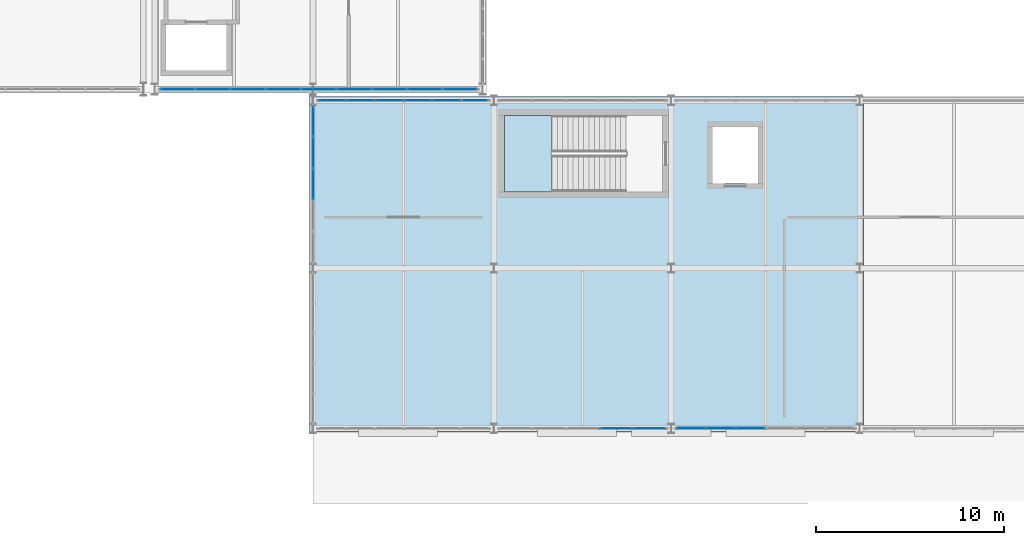
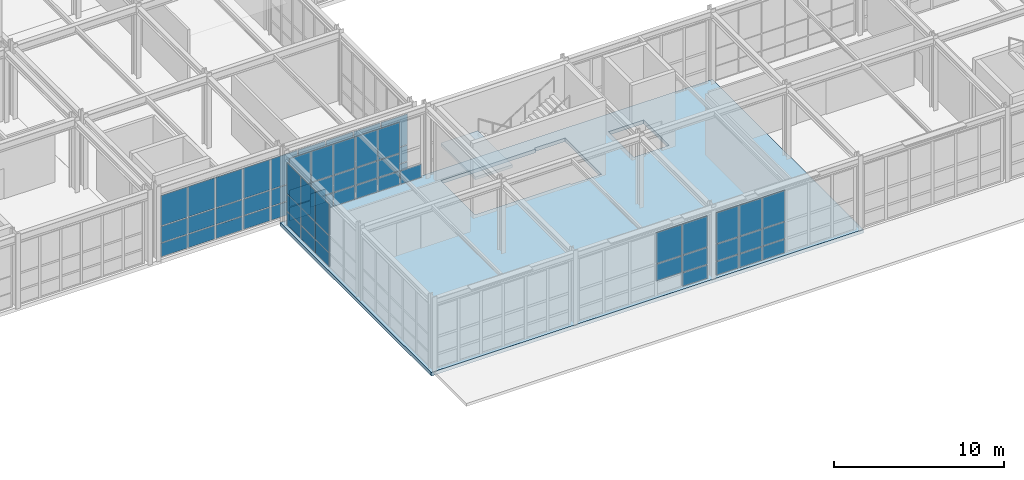
# One storey, part 142 of 210: 66 plates, 2 slabs, 6 elements without a shape of their own.
"""IFC4 building model written with IfcOpenShell, lengths in metres."""

import ifcopenshell
import ifcopenshell.guid

model = None  # the IFC model being written
_history = None  # IfcOwnerHistory: only IFC2X3 demands one
_inside = {}  # id of a spatial element -> (the spatial element, [elements in it])
_under = {}  # id of a project, library or spatial element -> (it, [spatial elements below it])
_declared = {}  # id of a project -> (the project, [libraries it declares])
_typed = {}  # id of a type object -> (the type object, [elements of that type])
_made_of = {}  # id of a material, layer set ... -> (it, [elements and type objects made of it])


def new_model(schema):
    """Start an empty IFC model of exactly this schema.

    Asked for "IFC4X3", IfcOpenShell would pick the latest addendum, in which some entities
    have other attributes; the version numbers below select the first issue.
    IFC2X3 requires an IfcOwnerHistory on every rooted entity: one is made here for all.
    """
    global model, _history
    if schema == "IFC4X3":
        model = ifcopenshell.file(schema_version=(4, 3, 0, 0))
    else:
        model = ifcopenshell.file(schema=schema)
    _inside.clear()
    _under.clear()
    _declared.clear()
    _typed.clear()
    _made_of.clear()
    _history = None
    if model.schema == "IFC2X3":
        org = make("IfcOrganization", Name="unknown")
        user = make(
            "IfcPersonAndOrganization",
            ThePerson=make("IfcPerson", FamilyName="unknown"),
            TheOrganization=org,
        )
        app = make(
            "IfcApplication",
            ApplicationDeveloper=org,
            Version="unknown",
            ApplicationFullName="unknown",
            ApplicationIdentifier="unknown",
        )
        _history = make(
            "IfcOwnerHistory",
            OwningUser=user,
            OwningApplication=app,
            ChangeAction="ADDED",
            CreationDate=0,
        )
    return model


def make(cls, **values):
    """One entity of the class cls with the attributes given. An attribute that is None is left unset."""
    return model.create_entity(
        cls, **{name: value for name, value in values.items() if value is not None}
    )


def rooted(cls, **values):
    """An entity with a GlobalId (a new one), such as an element, a storey or a relation."""
    return make(cls, GlobalId=ifcopenshell.guid.new(), OwnerHistory=_history, **values)


def si_unit(unit_type, name, prefix=None):
    """IfcSIUnit, for example si_unit("LENGTHUNIT", "METRE", prefix="MILLI")."""
    return make("IfcSIUnit", UnitType=unit_type, Prefix=prefix, Name=name)


def assignment(units):
    """IfcUnitAssignment: the units of a project."""
    return None if units is None else make("IfcUnitAssignment", Units=units)


def point(xyz):
    """IfcCartesianPoint."""
    return None if xyz is None else make("IfcCartesianPoint", Coordinates=xyz)


def direction(xyz):
    """IfcDirection."""
    return None if xyz is None else make("IfcDirection", DirectionRatios=xyz)


def frame(location, z_axis=None, x_axis=None):
    """IfcAxis2Placement3D, a coordinate frame: its origin and axes. An axis left out is left unset."""
    return make(
        "IfcAxis2Placement3D",
        Location=point(location),
        Axis=direction(z_axis),
        RefDirection=direction(x_axis),
    )


def frame_2d(location, x_axis=None):
    """IfcAxis2Placement2D, a coordinate frame in the plane: its origin and x axis."""
    return make(
        "IfcAxis2Placement2D", Location=point(location), RefDirection=direction(x_axis)
    )


def origin():
    """The frame at (0, 0, 0) with its axes left unset."""
    return frame((0.0, 0.0, 0.0))


def origin_2d():
    """The frame at (0, 0) in the plane with its x axis left unset."""
    return frame_2d((0.0, 0.0))


def place(relative_to, where):
    """IfcLocalPlacement: puts the frame where relative to a parent placement (None: the world)."""
    return make(
        "IfcLocalPlacement", PlacementRelTo=relative_to, RelativePlacement=where
    )


def context(
    kind, dimensions, precision=None, world=None, true_north=None, identifier=None
):
    """IfcGeometricRepresentationContext, for example the 3D "Model" context."""
    return make(
        "IfcGeometricRepresentationContext",
        ContextIdentifier=identifier,
        ContextType=kind,
        CoordinateSpaceDimension=dimensions,
        Precision=precision,
        WorldCoordinateSystem=world,
        TrueNorth=true_north,
    )


def subcontext(parent, identifier, kind, view, scale=None):
    """IfcGeometricRepresentationSubContext, for example "Body" below "Model"."""
    return make(
        "IfcGeometricRepresentationSubContext",
        ContextIdentifier=identifier,
        ContextType=kind,
        ParentContext=parent,
        TargetScale=scale,
        TargetView=view,
    )


def project(units=None, contexts=None):
    """IfcProject with its units and contexts."""
    return rooted(
        "IfcProject",
        Name="project",
        RepresentationContexts=contexts,
        UnitsInContext=assignment(units),
    )


def spatial(cls, under=None, at=None, **own):
    """A site, building, storey or space (cls), placed at a placement, below another one or the project."""
    s = rooted(cls, ObjectPlacement=at, **own)
    if under is not None:
        _under.setdefault(under.id(), (under, []))[1].append(s)
    return s


def polyline(points):
    """IfcPolyline through the points."""
    return make("IfcPolyline", Points=[point(p) for p in points])


def profile(cls, at=None, kind="AREA", **sizes):
    """A parametric profile (cls). Its sizes go by their IFC names, for example OverallWidth=200.0."""
    return make(cls, ProfileType=kind, Position=at, **sizes)


def rectangle(**sizes):
    """IfcRectangleProfileDef."""
    return profile("IfcRectangleProfileDef", **sizes)


def outline(outer, holes=None, kind="AREA"):
    """IfcArbitraryClosedProfileDef: a profile drawn as a closed curve; with holes, ...WithVoids."""
    if holes is None:
        return make("IfcArbitraryClosedProfileDef", ProfileType=kind, OuterCurve=outer)
    return make(
        "IfcArbitraryProfileDefWithVoids",
        ProfileType=kind,
        OuterCurve=outer,
        InnerCurves=holes,
    )


def extrude(swept, where, along, depth):
    """IfcExtrudedAreaSolid: the profile swept, set in the frame where, extruded along a direction by depth."""
    return make(
        "IfcExtrudedAreaSolid",
        SweptArea=swept,
        Position=where,
        ExtrudedDirection=direction(along),
        Depth=depth,
    )


def shape(context_of_items, identifier, shape_type, items):
    """IfcShapeRepresentation: the items that make up one representation, for example the "Body"."""
    return make(
        "IfcShapeRepresentation",
        ContextOfItems=context_of_items,
        RepresentationIdentifier=identifier,
        RepresentationType=shape_type,
        Items=items,
    )


def material(Name=None, Category=None):
    """IfcMaterial."""
    return make("IfcMaterial", Name=Name, Category=Category)


def layer(
    of_material, thickness, ventilated=None, Name=None, Category=None, Priority=None
):
    """IfcMaterialLayer: one layer of a wall or slab, of a material (None: an air gap)."""
    return make(
        "IfcMaterialLayer",
        Material=of_material,
        LayerThickness=thickness,
        IsVentilated=ventilated,
        Name=Name,
        Category=Category,
        Priority=Priority,
    )


def layer_set(layers, Name=None):
    """IfcMaterialLayerSet."""
    return make("IfcMaterialLayerSet", MaterialLayers=layers, LayerSetName=Name)


def made_of(thing, what):
    """Note that an element or type object is made of a material, layer set ...; save() writes the relation."""
    if what is not None:
        _made_of.setdefault(what.id(), (what, []))[1].append(thing)
    return thing


def type_object(cls, material=None, **own):
    """A type object (cls), such as IfcWallType, which elements share."""
    return made_of(rooted(cls, **own), material)


def element(
    cls,
    number,
    at=None,
    inside=None,
    cuts=None,
    type_object=None,
    material=None,
    context=None,
    identifier="Body",
    shape_type=None,
    held_by="IfcProductDefinitionShape",
    body=None,
    shapes=None,
    **own,
):
    """One element of the class cls, such as IfcWall. Its Tag is "e" and its number.

    at: its placement. inside: the storey or other place that contains it. cuts: it is an
    opening in that element (IfcRelVoidsElement). A single representation is given by context,
    identifier, shape_type and body (its items); several are given by shapes. held_by: the class
    of the entity that holds the representations. save() writes the other relations.
    """
    e = rooted(cls, Tag="e%d" % number, ObjectPlacement=at, **own)
    if body is not None:
        shapes = [shape(context, identifier, shape_type, body)]
    if shapes is not None:
        e.Representation = make(held_by, Representations=shapes)
    if inside is not None:
        _inside.setdefault(inside.id(), (inside, []))[1].append(e)
    if cuts is not None:
        rooted(
            "IfcRelVoidsElement", RelatingBuildingElement=cuts, RelatedOpeningElement=e
        )
    if type_object is not None:
        _typed.setdefault(type_object.id(), (type_object, []))[1].append(e)
    return made_of(e, material)


def aggregate(whole, parts):
    """IfcRelAggregates: a whole, such as a stair, and the parts it consists of."""
    return rooted("IfcRelAggregates", RelatingObject=whole, RelatedObjects=parts)


def save(model, path):
    """Write the relations noted so far, then the file.

    IfcRelAggregates (storeys below a building ...), IfcRelContainedInSpatialStructure (elements
    in a storey), IfcRelDefinesByType, IfcRelAssociatesMaterial and IfcRelDeclares: one each for
    every whole, place, type object, material and project.
    """
    for whole, parts in _under.values():
        aggregate(whole, parts)
    for where, things in _inside.values():
        rooted(
            "IfcRelContainedInSpatialStructure",
            RelatedElements=things,
            RelatingStructure=where,
        )
    for kind, things in _typed.values():
        rooted("IfcRelDefinesByType", RelatedObjects=things, RelatingType=kind)
    for what, things in _made_of.values():
        rooted("IfcRelAssociatesMaterial", RelatedObjects=things, RelatingMaterial=what)
    for by, libraries in _declared.values():
        rooted("IfcRelDeclares", RelatingContext=by, RelatedDefinitions=libraries)
    model.write(path)


model = new_model("IFC4")

# Units and contexts
model_context = context("Model", 3, precision=1e-05, world=origin(), true_north=direction((0.0, 1.0)))
body_context = subcontext(model_context, "Body", "Model", "MODEL_VIEW")
ifc_project = project(units=[si_unit("LENGTHUNIT", "METRE"), si_unit("AREAUNIT", "SQUARE_METRE"), si_unit("VOLUMEUNIT", "CUBIC_METRE"), si_unit("PLANEANGLEUNIT", "RADIAN"), si_unit("MASSUNIT", "GRAM", prefix="KILO")], contexts=[model_context])

# Site, building, storey
site_placement = place(None, origin())
site = spatial("IfcSite", under=ifc_project, at=site_placement, CompositionType="ELEMENT")
building_placement = place(site_placement, origin())
building = spatial("IfcBuilding", under=site, at=building_placement, Name="Kaldris Quays Convention Centre", CompositionType="ELEMENT")
storey_placement = place(building_placement, frame((0.0, 0.0, 6.0)))
storey = spatial("IfcBuildingStorey", under=building, at=storey_placement, Name="L01", CompositionType="ELEMENT", Elevation=6.0)

# Curtain wall, plates
ifc_material_1 = material(Name="Anodized aluminium AW-6060 and triple glazing", Category="aluminium")
curtain_wall_type_1 = type_object("IfcCurtainWallType", Name="UNITISED CURTAIN WALL CW02", PredefinedType="NOTDEFINED", material=ifc_material_1)
curtain_wall_1_placement = place(storey_placement, origin())
curtain_wall_1 = element("IfcCurtainWall", 1, at=curtain_wall_1_placement, inside=storey, type_object=curtain_wall_type_1, Name="L01 Unitised Curtain Wall CW02 186", PredefinedType="NOTDEFINED")
ifc_material_2 = material(Name="Triple low-E insulated glazing", Category="glass")
plate_type_1 = type_object("IfcPlateType", Name="CURTAIN GLAZING PANEL CWP2", PredefinedType="CURTAIN_PANEL", material=ifc_material_2)
plate_1_placement = place(storey_placement, frame((156.0234375, 37.39990234375, 0.06005859375), z_axis=(0.0, 0.0, 1.0), x_axis=(1.0, 0.0, 0.0)))
plate_1 = element("IfcPlate", 2, at=plate_1_placement, type_object=plate_type_1, Name="CW02 panel 1.1", PredefinedType="CURTAIN_PANEL", context=body_context, shape_type="SweptSolid", body=[
    extrude(rectangle(XDim=1.4267578125, YDim=0.033935546875, at=origin_2d()), origin(), (0.0, 0.0, 1.0), 0.9599609375),
])
plate_2_placement = place(storey_placement, frame((156.0234375, 37.39990234375, 1.080078125), z_axis=(0.0, 0.0, 1.0), x_axis=(1.0, 0.0, 0.0)))
plate_2 = element("IfcPlate", 3, at=plate_2_placement, type_object=plate_type_1, Name="CW02 panel 1.2", PredefinedType="CURTAIN_PANEL", context=body_context, shape_type="SweptSolid", body=[
    extrude(rectangle(XDim=1.4267578125, YDim=0.033935546875, at=origin_2d()), origin(), (0.0, 0.0, 1.0), 1.18994140625),
])
plate_3_placement = place(storey_placement, frame((156.0234375, 37.39990234375, 2.330078125), z_axis=(0.0, 0.0, 1.0), x_axis=(1.0, 0.0, 0.0)))
plate_3 = element("IfcPlate", 4, at=plate_3_placement, type_object=plate_type_1, Name="CW02 panel 1.3", PredefinedType="CURTAIN_PANEL", context=body_context, shape_type="SweptSolid", body=[
    extrude(rectangle(XDim=1.4267578125, YDim=0.033935546875, at=origin_2d()), origin(), (0.0, 0.0, 1.0), 2.2099609375),
])
plate_4_placement = place(storey_placement, frame((157.52490234375, 37.39990234375, 0.06005859375), z_axis=(0.0, 0.0, 1.0), x_axis=(1.0, 0.0, 0.0)))
plate_4 = element("IfcPlate", 5, at=plate_4_placement, type_object=plate_type_1, Name="CW02 panel 2.1", PredefinedType="CURTAIN_PANEL", context=body_context, shape_type="SweptSolid", body=[
    extrude(rectangle(XDim=1.456787109375, YDim=0.033935546875, at=origin_2d()), origin(), (0.0, 0.0, 1.0), 0.9599609375),
])
plate_5_placement = place(storey_placement, frame((157.52490234375, 37.39990234375, 1.080078125), z_axis=(0.0, 0.0, 1.0), x_axis=(1.0, 0.0, 0.0)))
plate_5 = element("IfcPlate", 6, at=plate_5_placement, type_object=plate_type_1, Name="CW02 panel 2.2", PredefinedType="CURTAIN_PANEL", context=body_context, shape_type="SweptSolid", body=[
    extrude(rectangle(XDim=1.456787109375, YDim=0.033935546875, at=origin_2d()), origin(), (0.0, 0.0, 1.0), 1.18994140625),
])
plate_6_placement = place(storey_placement, frame((157.52490234375, 37.39990234375, 2.330078125), z_axis=(0.0, 0.0, 1.0), x_axis=(1.0, 0.0, 0.0)))
plate_6 = element("IfcPlate", 7, at=plate_6_placement, type_object=plate_type_1, Name="CW02 panel 2.3", PredefinedType="CURTAIN_PANEL", context=body_context, shape_type="SweptSolid", body=[
    extrude(rectangle(XDim=1.456787109375, YDim=0.033935546875, at=origin_2d()), origin(), (0.0, 0.0, 1.0), 2.2099609375),
])
plate_7_placement = place(storey_placement, frame((159.041748046875, 37.39990234375, 0.06005859375), z_axis=(0.0, 0.0, 1.0), x_axis=(1.0, 0.0, 0.0)))
plate_7 = element("IfcPlate", 8, at=plate_7_placement, type_object=plate_type_1, Name="CW02 panel 3.1", PredefinedType="CURTAIN_PANEL", context=body_context, shape_type="SweptSolid", body=[
    extrude(rectangle(XDim=1.456787109375, YDim=0.033935546875, at=origin_2d()), origin(), (0.0, 0.0, 1.0), 0.9599609375),
])
plate_8_placement = place(storey_placement, frame((159.041748046875, 37.39990234375, 1.080078125), z_axis=(0.0, 0.0, 1.0), x_axis=(1.0, 0.0, 0.0)))
plate_8 = element("IfcPlate", 9, at=plate_8_placement, type_object=plate_type_1, Name="CW02 panel 3.2", PredefinedType="CURTAIN_PANEL", context=body_context, shape_type="SweptSolid", body=[
    extrude(rectangle(XDim=1.456787109375, YDim=0.033935546875, at=origin_2d()), origin(), (0.0, 0.0, 1.0), 1.18994140625),
])
plate_9_placement = place(storey_placement, frame((159.041748046875, 37.39990234375, 2.330078125), z_axis=(0.0, 0.0, 1.0), x_axis=(1.0, 0.0, 0.0)))
plate_9 = element("IfcPlate", 10, at=plate_9_placement, type_object=plate_type_1, Name="CW02 panel 3.3", PredefinedType="CURTAIN_PANEL", context=body_context, shape_type="SweptSolid", body=[
    extrude(rectangle(XDim=1.456787109375, YDim=0.033935546875, at=origin_2d()), origin(), (0.0, 0.0, 1.0), 2.2099609375),
])
plate_10_placement = place(storey_placement, frame((160.558349609375, 37.39990234375, 0.06005859375), z_axis=(0.0, 0.0, 1.0), x_axis=(1.0, 0.0, 0.0)))
plate_10 = element("IfcPlate", 11, at=plate_10_placement, type_object=plate_type_1, Name="CW02 panel 4.1", PredefinedType="CURTAIN_PANEL", context=body_context, shape_type="SweptSolid", body=[
    extrude(rectangle(XDim=1.456787109375, YDim=0.033935546875, at=origin_2d()), origin(), (0.0, 0.0, 1.0), 0.9599609375),
])
plate_11_placement = place(storey_placement, frame((160.558349609375, 37.39990234375, 1.080078125), z_axis=(0.0, 0.0, 1.0), x_axis=(1.0, 0.0, 0.0)))
plate_11 = element("IfcPlate", 12, at=plate_11_placement, type_object=plate_type_1, Name="CW02 panel 4.2", PredefinedType="CURTAIN_PANEL", context=body_context, shape_type="SweptSolid", body=[
    extrude(rectangle(XDim=1.456787109375, YDim=0.033935546875, at=origin_2d()), origin(), (0.0, 0.0, 1.0), 1.18994140625),
])
plate_12_placement = place(storey_placement, frame((160.558349609375, 37.39990234375, 2.330078125), z_axis=(0.0, 0.0, 1.0), x_axis=(1.0, 0.0, 0.0)))
plate_12 = element("IfcPlate", 13, at=plate_12_placement, type_object=plate_type_1, Name="CW02 panel 4.3", PredefinedType="CURTAIN_PANEL", context=body_context, shape_type="SweptSolid", body=[
    extrude(rectangle(XDim=1.456787109375, YDim=0.033935546875, at=origin_2d()), origin(), (0.0, 0.0, 1.0), 2.2099609375),
])
plate_13_placement = place(storey_placement, frame((162.074951171875, 37.39990234375, 0.06005859375), z_axis=(0.0, 0.0, 1.0), x_axis=(1.0, 0.0, 0.0)))
plate_13 = element("IfcPlate", 14, at=plate_13_placement, type_object=plate_type_1, Name="CW02 panel 5.1", PredefinedType="CURTAIN_PANEL", context=body_context, shape_type="SweptSolid", body=[
    extrude(rectangle(XDim=1.456787109375, YDim=0.033935546875, at=origin_2d()), origin(), (0.0, 0.0, 1.0), 0.9599609375),
])
plate_14_placement = place(storey_placement, frame((162.074951171875, 37.39990234375, 1.080078125), z_axis=(0.0, 0.0, 1.0), x_axis=(1.0, 0.0, 0.0)))
plate_14 = element("IfcPlate", 15, at=plate_14_placement, type_object=plate_type_1, Name="CW02 panel 5.2", PredefinedType="CURTAIN_PANEL", context=body_context, shape_type="SweptSolid", body=[
    extrude(rectangle(XDim=1.456787109375, YDim=0.033935546875, at=origin_2d()), origin(), (0.0, 0.0, 1.0), 1.18994140625),
])
plate_15_placement = place(storey_placement, frame((162.074951171875, 37.39990234375, 2.330078125), z_axis=(0.0, 0.0, 1.0), x_axis=(1.0, 0.0, 0.0)))
plate_15 = element("IfcPlate", 16, at=plate_15_placement, type_object=plate_type_1, Name="CW02 panel 5.3", PredefinedType="CURTAIN_PANEL", context=body_context, shape_type="SweptSolid", body=[
    extrude(rectangle(XDim=1.456787109375, YDim=0.033935546875, at=origin_2d()), origin(), (0.0, 0.0, 1.0), 2.2099609375),
])
plate_16_placement = place(storey_placement, frame((163.57666015625, 37.39990234375, 0.06005859375), z_axis=(0.0, 0.0, 1.0), x_axis=(1.0, 0.0, 0.0)))
plate_16 = element("IfcPlate", 17, at=plate_16_placement, type_object=plate_type_1, Name="CW02 panel 6.1", PredefinedType="CURTAIN_PANEL", context=body_context, shape_type="SweptSolid", body=[
    extrude(rectangle(XDim=1.4267578125, YDim=0.033935546875, at=origin_2d()), origin(), (0.0, 0.0, 1.0), 0.9599609375),
])
aggregate(curtain_wall_1, [plate_1, plate_2, plate_3, plate_4, plate_5, plate_6, plate_7, plate_8, plate_9, plate_10, plate_11, plate_12, plate_13, plate_14, plate_15, plate_16])

curtain_wall_2_placement = place(storey_placement, origin())
curtain_wall_2 = element("IfcCurtainWall", 18, at=curtain_wall_2_placement, inside=storey, type_object=curtain_wall_type_1, Name="L01 Unitised Curtain Wall CW02 187", PredefinedType="NOTDEFINED")
plate_type_2 = type_object("IfcPlateType", Name="CURTAIN GLAZING PANEL CWP3", PredefinedType="CURTAIN_PANEL", material=ifc_material_2)
plate_17_placement = place(storey_placement, frame((171.080078125, 20.0, 1.080078125), z_axis=(0.0, 0.0, 1.0), x_axis=(1.0, 0.0, 0.0)))
plate_17 = element("IfcPlate", 19, at=plate_17_placement, type_object=plate_type_2, Name="CW02 panel 4.2", PredefinedType="CURTAIN_PANEL", context=body_context, shape_type="SweptSolid", body=[
    extrude(rectangle(XDim=1.719970703125, YDim=0.0390625, at=origin_2d()), origin(), (0.0, 0.0, 1.0), 1.18994140625),
])
plate_18_placement = place(storey_placement, frame((171.080078125, 20.0, 2.330078125), z_axis=(0.0, 0.0, 1.0), x_axis=(1.0, 0.0, 0.0)))
plate_18 = element("IfcPlate", 20, at=plate_18_placement, type_object=plate_type_2, Name="CW02 panel 4.3", PredefinedType="CURTAIN_PANEL", context=body_context, shape_type="SweptSolid", body=[
    extrude(rectangle(XDim=1.719970703125, YDim=0.0390625, at=origin_2d()), origin(), (0.0, 0.0, 1.0), 2.2099609375),
])
plate_19_placement = place(storey_placement, frame((172.844970703125, 20.0, 0.06005859375), z_axis=(0.0, 0.0, 1.0), x_axis=(1.0, 0.0, 0.0)))
plate_19 = element("IfcPlate", 21, at=plate_19_placement, type_object=plate_type_2, Name="CW02 panel 5.1", PredefinedType="CURTAIN_PANEL", context=body_context, shape_type="SweptSolid", body=[
    extrude(rectangle(XDim=1.68994140625, YDim=0.0390625, at=origin_2d()), origin(), (0.0, 0.0, 1.0), 0.9599609375),
])
plate_20_placement = place(storey_placement, frame((172.844970703125, 20.0, 1.080078125), z_axis=(0.0, 0.0, 1.0), x_axis=(1.0, 0.0, 0.0)))
plate_20 = element("IfcPlate", 22, at=plate_20_placement, type_object=plate_type_2, Name="CW02 panel 5.2", PredefinedType="CURTAIN_PANEL", context=body_context, shape_type="SweptSolid", body=[
    extrude(rectangle(XDim=1.68994140625, YDim=0.0390625, at=origin_2d()), origin(), (0.0, 0.0, 1.0), 1.18994140625),
])
plate_21_placement = place(storey_placement, frame((172.844970703125, 20.0, 2.330078125), z_axis=(0.0, 0.0, 1.0), x_axis=(1.0, 0.0, 0.0)))
plate_21 = element("IfcPlate", 23, at=plate_21_placement, type_object=plate_type_2, Name="CW02 panel 5.3", PredefinedType="CURTAIN_PANEL", context=body_context, shape_type="SweptSolid", body=[
    extrude(rectangle(XDim=1.68994140625, YDim=0.0390625, at=origin_2d()), origin(), (0.0, 0.0, 1.0), 2.2099609375),
])
aggregate(curtain_wall_2, [plate_17, plate_18, plate_19, plate_20, plate_21])

curtain_wall_type_2 = type_object("IfcCurtainWallType", Name="UNITISED CURTAIN WALL CW05", PredefinedType="NOTDEFINED", material=ifc_material_1)
curtain_wall_3_placement = place(storey_placement, origin())
curtain_wall_3 = element("IfcCurtainWall", 24, at=curtain_wall_3_placement, inside=storey, type_object=curtain_wall_type_2, Name="L01 Unitised Curtain Wall CW05 141", PredefinedType="NOTDEFINED")
plate_type_3 = type_object("IfcPlateType", Name="CURTAIN GLAZING PANEL CWP5", PredefinedType="CURTAIN_PANEL", material=ifc_material_2)
plate_22_placement = place(storey_placement, frame((147.803955078125, 38.0, 0.06005859375), z_axis=(0.0, 0.0, 1.0), x_axis=(1.0, 0.0, 0.0)))
plate_22 = element("IfcPlate", 25, at=plate_22_placement, type_object=plate_type_3, Name="CW05 panel 1.1", PredefinedType="CURTAIN_PANEL", context=body_context, shape_type="SweptSolid", body=[
    extrude(rectangle(XDim=1.787841796875, YDim=0.049072265625, at=origin_2d()), origin(), (0.0, 0.0, 1.0), 0.9599609375),
])
plate_23_placement = place(storey_placement, frame((147.803955078125, 38.0, 1.080078125), z_axis=(0.0, 0.0, 1.0), x_axis=(1.0, 0.0, 0.0)))
plate_23 = element("IfcPlate", 26, at=plate_23_placement, type_object=plate_type_3, Name="CW05 panel 1.2", PredefinedType="CURTAIN_PANEL", context=body_context, shape_type="SweptSolid", body=[
    extrude(rectangle(XDim=1.787841796875, YDim=0.049072265625, at=origin_2d()), origin(), (0.0, 0.0, 1.0), 1.14892578125),
])
plate_24_placement = place(storey_placement, frame((147.803955078125, 38.0, 2.2890625), z_axis=(0.0, 0.0, 1.0), x_axis=(1.0, 0.0, 0.0)))
plate_24 = element("IfcPlate", 27, at=plate_24_placement, type_object=plate_type_3, Name="CW05 panel 1.3", PredefinedType="CURTAIN_PANEL", context=body_context, shape_type="SweptSolid", body=[
    extrude(rectangle(XDim=1.787841796875, YDim=0.049072265625, at=origin_2d()), origin(), (0.0, 0.0, 1.0), 2.1689453125),
])
plate_25_placement = place(storey_placement, frame((149.666748046875, 38.0, 0.06005859375), z_axis=(0.0, 0.0, 1.0), x_axis=(1.0, 0.0, 0.0)))
plate_25 = element("IfcPlate", 28, at=plate_25_placement, type_object=plate_type_3, Name="CW05 panel 2.1", PredefinedType="CURTAIN_PANEL", context=body_context, shape_type="SweptSolid", body=[
    extrude(rectangle(XDim=1.81787109375, YDim=0.049072265625, at=origin_2d()), origin(), (0.0, 0.0, 1.0), 0.9599609375),
])
plate_26_placement = place(storey_placement, frame((149.666748046875, 38.0, 1.080078125), z_axis=(0.0, 0.0, 1.0), x_axis=(1.0, 0.0, 0.0)))
plate_26 = element("IfcPlate", 29, at=plate_26_placement, type_object=plate_type_3, Name="CW05 panel 2.2", PredefinedType="CURTAIN_PANEL", context=body_context, shape_type="SweptSolid", body=[
    extrude(rectangle(XDim=1.81787109375, YDim=0.049072265625, at=origin_2d()), origin(), (0.0, 0.0, 1.0), 1.14892578125),
])
plate_27_placement = place(storey_placement, frame((149.666748046875, 38.0, 2.2890625), z_axis=(0.0, 0.0, 1.0), x_axis=(1.0, 0.0, 0.0)))
plate_27 = element("IfcPlate", 30, at=plate_27_placement, type_object=plate_type_3, Name="CW05 panel 2.3", PredefinedType="CURTAIN_PANEL", context=body_context, shape_type="SweptSolid", body=[
    extrude(rectangle(XDim=1.81787109375, YDim=0.049072265625, at=origin_2d()), origin(), (0.0, 0.0, 1.0), 2.1689453125),
])
plate_28_placement = place(storey_placement, frame((151.54443359375, 38.0, 0.06005859375), z_axis=(0.0, 0.0, 1.0), x_axis=(1.0, 0.0, 0.0)))
plate_28 = element("IfcPlate", 31, at=plate_28_placement, type_object=plate_type_3, Name="CW05 panel 3.1", PredefinedType="CURTAIN_PANEL", context=body_context, shape_type="SweptSolid", body=[
    extrude(rectangle(XDim=1.81787109375, YDim=0.049072265625, at=origin_2d()), origin(), (0.0, 0.0, 1.0), 0.9599609375),
])
plate_29_placement = place(storey_placement, frame((151.54443359375, 38.0, 1.080078125), z_axis=(0.0, 0.0, 1.0), x_axis=(1.0, 0.0, 0.0)))
plate_29 = element("IfcPlate", 32, at=plate_29_placement, type_object=plate_type_3, Name="CW05 panel 3.2", PredefinedType="CURTAIN_PANEL", context=body_context, shape_type="SweptSolid", body=[
    extrude(rectangle(XDim=1.81787109375, YDim=0.049072265625, at=origin_2d()), origin(), (0.0, 0.0, 1.0), 1.14892578125),
])
plate_30_placement = place(storey_placement, frame((151.54443359375, 38.0, 2.2890625), z_axis=(0.0, 0.0, 1.0), x_axis=(1.0, 0.0, 0.0)))
plate_30 = element("IfcPlate", 33, at=plate_30_placement, type_object=plate_type_3, Name="CW05 panel 3.3", PredefinedType="CURTAIN_PANEL", context=body_context, shape_type="SweptSolid", body=[
    extrude(rectangle(XDim=1.81787109375, YDim=0.049072265625, at=origin_2d()), origin(), (0.0, 0.0, 1.0), 2.1689453125),
])
plate_31_placement = place(storey_placement, frame((153.422119140625, 38.0, 0.06005859375), z_axis=(0.0, 0.0, 1.0), x_axis=(1.0, 0.0, 0.0)))
plate_31 = element("IfcPlate", 34, at=plate_31_placement, type_object=plate_type_3, Name="CW05 panel 4.1", PredefinedType="CURTAIN_PANEL", context=body_context, shape_type="SweptSolid", body=[
    extrude(rectangle(XDim=1.81787109375, YDim=0.049072265625, at=origin_2d()), origin(), (0.0, 0.0, 1.0), 0.9599609375),
])
plate_32_placement = place(storey_placement, frame((153.422119140625, 38.0, 1.080078125), z_axis=(0.0, 0.0, 1.0), x_axis=(1.0, 0.0, 0.0)))
plate_32 = element("IfcPlate", 35, at=plate_32_placement, type_object=plate_type_3, Name="CW05 panel 4.2", PredefinedType="CURTAIN_PANEL", context=body_context, shape_type="SweptSolid", body=[
    extrude(rectangle(XDim=1.81787109375, YDim=0.049072265625, at=origin_2d()), origin(), (0.0, 0.0, 1.0), 1.14892578125),
])
plate_33_placement = place(storey_placement, frame((153.422119140625, 38.0, 2.2890625), z_axis=(0.0, 0.0, 1.0), x_axis=(1.0, 0.0, 0.0)))
plate_33 = element("IfcPlate", 36, at=plate_33_placement, type_object=plate_type_3, Name="CW05 panel 4.3", PredefinedType="CURTAIN_PANEL", context=body_context, shape_type="SweptSolid", body=[
    extrude(rectangle(XDim=1.81787109375, YDim=0.049072265625, at=origin_2d()), origin(), (0.0, 0.0, 1.0), 2.1689453125),
])
plate_34_placement = place(storey_placement, frame((155.300048828125, 38.0, 0.06005859375), z_axis=(0.0, 0.0, 1.0), x_axis=(1.0, 0.0, 0.0)))
plate_34 = element("IfcPlate", 37, at=plate_34_placement, type_object=plate_type_3, Name="CW05 panel 5.1", PredefinedType="CURTAIN_PANEL", context=body_context, shape_type="SweptSolid", body=[
    extrude(rectangle(XDim=1.81787109375, YDim=0.049072265625, at=origin_2d()), origin(), (0.0, 0.0, 1.0), 0.9599609375),
])
plate_35_placement = place(storey_placement, frame((155.300048828125, 38.0, 1.080078125), z_axis=(0.0, 0.0, 1.0), x_axis=(1.0, 0.0, 0.0)))
plate_35 = element("IfcPlate", 38, at=plate_35_placement, type_object=plate_type_3, Name="CW05 panel 5.2", PredefinedType="CURTAIN_PANEL", context=body_context, shape_type="SweptSolid", body=[
    extrude(rectangle(XDim=1.81787109375, YDim=0.049072265625, at=origin_2d()), origin(), (0.0, 0.0, 1.0), 1.14892578125),
])
plate_36_placement = place(storey_placement, frame((155.300048828125, 38.0, 2.2890625), z_axis=(0.0, 0.0, 1.0), x_axis=(1.0, 0.0, 0.0)))
plate_36 = element("IfcPlate", 39, at=plate_36_placement, type_object=plate_type_3, Name="CW05 panel 5.3", PredefinedType="CURTAIN_PANEL", context=body_context, shape_type="SweptSolid", body=[
    extrude(rectangle(XDim=1.81787109375, YDim=0.049072265625, at=origin_2d()), origin(), (0.0, 0.0, 1.0), 2.1689453125),
])
plate_37_placement = place(storey_placement, frame((157.177734375, 38.0, 0.06005859375), z_axis=(0.0, 0.0, 1.0), x_axis=(1.0, 0.0, 0.0)))
plate_37 = element("IfcPlate", 40, at=plate_37_placement, type_object=plate_type_3, Name="CW05 panel 6.1", PredefinedType="CURTAIN_PANEL", context=body_context, shape_type="SweptSolid", body=[
    extrude(rectangle(XDim=1.81787109375, YDim=0.049072265625, at=origin_2d()), origin(), (0.0, 0.0, 1.0), 0.9599609375),
])
plate_38_placement = place(storey_placement, frame((157.177734375, 38.0, 1.080078125), z_axis=(0.0, 0.0, 1.0), x_axis=(1.0, 0.0, 0.0)))
plate_38 = element("IfcPlate", 41, at=plate_38_placement, type_object=plate_type_3, Name="CW05 panel 6.2", PredefinedType="CURTAIN_PANEL", context=body_context, shape_type="SweptSolid", body=[
    extrude(rectangle(XDim=1.81787109375, YDim=0.049072265625, at=origin_2d()), origin(), (0.0, 0.0, 1.0), 1.14892578125),
])
plate_39_placement = place(storey_placement, frame((157.177734375, 38.0, 2.2890625), z_axis=(0.0, 0.0, 1.0), x_axis=(1.0, 0.0, 0.0)))
plate_39 = element("IfcPlate", 42, at=plate_39_placement, type_object=plate_type_3, Name="CW05 panel 6.3", PredefinedType="CURTAIN_PANEL", context=body_context, shape_type="SweptSolid", body=[
    extrude(rectangle(XDim=1.81787109375, YDim=0.049072265625, at=origin_2d()), origin(), (0.0, 0.0, 1.0), 2.1689453125),
])
plate_40_placement = place(storey_placement, frame((159.0556640625, 38.0, 0.06005859375), z_axis=(0.0, 0.0, 1.0), x_axis=(1.0, 0.0, 0.0)))
plate_40 = element("IfcPlate", 43, at=plate_40_placement, type_object=plate_type_3, Name="CW05 panel 7.1", PredefinedType="CURTAIN_PANEL", context=body_context, shape_type="SweptSolid", body=[
    extrude(rectangle(XDim=1.81787109375, YDim=0.049072265625, at=origin_2d()), origin(), (0.0, 0.0, 1.0), 0.9599609375),
])
plate_41_placement = place(storey_placement, frame((159.0556640625, 38.0, 1.080078125), z_axis=(0.0, 0.0, 1.0), x_axis=(1.0, 0.0, 0.0)))
plate_41 = element("IfcPlate", 44, at=plate_41_placement, type_object=plate_type_3, Name="CW05 panel 7.2", PredefinedType="CURTAIN_PANEL", context=body_context, shape_type="SweptSolid", body=[
    extrude(rectangle(XDim=1.81787109375, YDim=0.049072265625, at=origin_2d()), origin(), (0.0, 0.0, 1.0), 1.14892578125),
])
plate_42_placement = place(storey_placement, frame((159.0556640625, 38.0, 2.2890625), z_axis=(0.0, 0.0, 1.0), x_axis=(1.0, 0.0, 0.0)))
plate_42 = element("IfcPlate", 45, at=plate_42_placement, type_object=plate_type_3, Name="CW05 panel 7.3", PredefinedType="CURTAIN_PANEL", context=body_context, shape_type="SweptSolid", body=[
    extrude(rectangle(XDim=1.81787109375, YDim=0.049072265625, at=origin_2d()), origin(), (0.0, 0.0, 1.0), 2.1689453125),
])
plate_43_placement = place(storey_placement, frame((160.933349609375, 38.0, 0.06005859375), z_axis=(0.0, 0.0, 1.0), x_axis=(1.0, 0.0, 0.0)))
plate_43 = element("IfcPlate", 46, at=plate_43_placement, type_object=plate_type_3, Name="CW05 panel 8.1", PredefinedType="CURTAIN_PANEL", context=body_context, shape_type="SweptSolid", body=[
    extrude(rectangle(XDim=1.81787109375, YDim=0.049072265625, at=origin_2d()), origin(), (0.0, 0.0, 1.0), 0.9599609375),
])
plate_44_placement = place(storey_placement, frame((160.933349609375, 38.0, 1.080078125), z_axis=(0.0, 0.0, 1.0), x_axis=(1.0, 0.0, 0.0)))
plate_44 = element("IfcPlate", 47, at=plate_44_placement, type_object=plate_type_3, Name="CW05 panel 8.2", PredefinedType="CURTAIN_PANEL", context=body_context, shape_type="SweptSolid", body=[
    extrude(rectangle(XDim=1.81787109375, YDim=0.049072265625, at=origin_2d()), origin(), (0.0, 0.0, 1.0), 1.14892578125),
])
plate_45_placement = place(storey_placement, frame((160.933349609375, 38.0, 2.2890625), z_axis=(0.0, 0.0, 1.0), x_axis=(1.0, 0.0, 0.0)))
plate_45 = element("IfcPlate", 48, at=plate_45_placement, type_object=plate_type_3, Name="CW05 panel 8.3", PredefinedType="CURTAIN_PANEL", context=body_context, shape_type="SweptSolid", body=[
    extrude(rectangle(XDim=1.81787109375, YDim=0.049072265625, at=origin_2d()), origin(), (0.0, 0.0, 1.0), 2.1689453125),
])
plate_46_placement = place(storey_placement, frame((162.796142578125, 38.0, 0.06005859375), z_axis=(0.0, 0.0, 1.0), x_axis=(1.0, 0.0, 0.0)))
plate_46 = element("IfcPlate", 49, at=plate_46_placement, type_object=plate_type_3, Name="CW05 panel 9.1", PredefinedType="CURTAIN_PANEL", context=body_context, shape_type="SweptSolid", body=[
    extrude(rectangle(XDim=1.787841796875, YDim=0.049072265625, at=origin_2d()), origin(), (0.0, 0.0, 1.0), 0.9599609375),
])
plate_47_placement = place(storey_placement, frame((162.796142578125, 38.0, 1.080078125), z_axis=(0.0, 0.0, 1.0), x_axis=(1.0, 0.0, 0.0)))
plate_47 = element("IfcPlate", 50, at=plate_47_placement, type_object=plate_type_3, Name="CW05 panel 9.2", PredefinedType="CURTAIN_PANEL", context=body_context, shape_type="SweptSolid", body=[
    extrude(rectangle(XDim=1.787841796875, YDim=0.049072265625, at=origin_2d()), origin(), (0.0, 0.0, 1.0), 1.14892578125),
])
plate_48_placement = place(storey_placement, frame((162.796142578125, 38.0, 2.2890625), z_axis=(0.0, 0.0, 1.0), x_axis=(1.0, 0.0, 0.0)))
plate_48 = element("IfcPlate", 51, at=plate_48_placement, type_object=plate_type_3, Name="CW05 panel 9.3", PredefinedType="CURTAIN_PANEL", context=body_context, shape_type="SweptSolid", body=[
    extrude(rectangle(XDim=1.787841796875, YDim=0.049072265625, at=origin_2d()), origin(), (0.0, 0.0, 1.0), 2.1689453125),
])
aggregate(curtain_wall_3, [plate_22, plate_23, plate_24, plate_25, plate_26, plate_27, plate_28, plate_29, plate_30, plate_31, plate_32, plate_33, plate_34, plate_35, plate_36, plate_37, plate_38, plate_39, plate_40, plate_41, plate_42, plate_43, plate_44, plate_45, plate_46, plate_47, plate_48])

curtain_wall_4_placement = place(storey_placement, origin())
curtain_wall_4 = element("IfcCurtainWall", 52, at=curtain_wall_4_placement, inside=storey, type_object=curtain_wall_type_1, Name="L01 Unitised Curtain Wall CW02 189", PredefinedType="NOTDEFINED")
plate_49_placement = place(storey_placement, frame((175.056640625, 20.0, 0.06005859375), z_axis=(0.0, 0.0, 1.0), x_axis=(1.0, 0.0, 0.0)))
plate_49 = element("IfcPlate", 53, at=plate_49_placement, type_object=plate_type_3, Name="CW02 panel 1.1", PredefinedType="CURTAIN_PANEL", context=body_context, shape_type="SweptSolid", body=[
    extrude(rectangle(XDim=1.493408203125, YDim=0.049072265625, at=origin_2d()), origin(), (0.0, 0.0, 1.0), 0.9599609375),
])
plate_50_placement = place(storey_placement, frame((175.056640625, 20.0, 1.080078125), z_axis=(0.0, 0.0, 1.0), x_axis=(1.0, 0.0, 0.0)))
plate_50 = element("IfcPlate", 54, at=plate_50_placement, type_object=plate_type_3, Name="CW02 panel 1.2", PredefinedType="CURTAIN_PANEL", context=body_context, shape_type="SweptSolid", body=[
    extrude(rectangle(XDim=1.493408203125, YDim=0.049072265625, at=origin_2d()), origin(), (0.0, 0.0, 1.0), 1.18994140625),
])
plate_51_placement = place(storey_placement, frame((175.056640625, 20.0, 2.330078125), z_axis=(0.0, 0.0, 1.0), x_axis=(1.0, 0.0, 0.0)))
plate_51 = element("IfcPlate", 55, at=plate_51_placement, type_object=plate_type_3, Name="CW02 panel 1.3", PredefinedType="CURTAIN_PANEL", context=body_context, shape_type="SweptSolid", body=[
    extrude(rectangle(XDim=1.493408203125, YDim=0.049072265625, at=origin_2d()), origin(), (0.0, 0.0, 1.0), 2.2099609375),
])
plate_52_placement = place(storey_placement, frame((176.625, 20.0, 0.06005859375), z_axis=(0.0, 0.0, 1.0), x_axis=(1.0, 0.0, 0.0)))
plate_52 = element("IfcPlate", 56, at=plate_52_placement, type_object=plate_type_3, Name="CW02 panel 2.1", PredefinedType="CURTAIN_PANEL", context=body_context, shape_type="SweptSolid", body=[
    extrude(rectangle(XDim=1.5234375, YDim=0.049072265625, at=origin_2d()), origin(), (0.0, 0.0, 1.0), 0.9599609375),
])
plate_53_placement = place(storey_placement, frame((176.625, 20.0, 1.080078125), z_axis=(0.0, 0.0, 1.0), x_axis=(1.0, 0.0, 0.0)))
plate_53 = element("IfcPlate", 57, at=plate_53_placement, type_object=plate_type_3, Name="CW02 panel 2.2", PredefinedType="CURTAIN_PANEL", context=body_context, shape_type="SweptSolid", body=[
    extrude(rectangle(XDim=1.5234375, YDim=0.049072265625, at=origin_2d()), origin(), (0.0, 0.0, 1.0), 1.18994140625),
])
plate_54_placement = place(storey_placement, frame((176.625, 20.0, 2.330078125), z_axis=(0.0, 0.0, 1.0), x_axis=(1.0, 0.0, 0.0)))
plate_54 = element("IfcPlate", 58, at=plate_54_placement, type_object=plate_type_3, Name="CW02 panel 2.3", PredefinedType="CURTAIN_PANEL", context=body_context, shape_type="SweptSolid", body=[
    extrude(rectangle(XDim=1.5234375, YDim=0.049072265625, at=origin_2d()), origin(), (0.0, 0.0, 1.0), 2.2099609375),
])
plate_55_placement = place(storey_placement, frame((178.208251953125, 20.0, 0.06005859375), z_axis=(0.0, 0.0, 1.0), x_axis=(1.0, 0.0, 0.0)))
plate_55 = element("IfcPlate", 59, at=plate_55_placement, type_object=plate_type_3, Name="CW02 panel 3.1", PredefinedType="CURTAIN_PANEL", context=body_context, shape_type="SweptSolid", body=[
    extrude(rectangle(XDim=1.5234375, YDim=0.049072265625, at=origin_2d()), origin(), (0.0, 0.0, 1.0), 0.9599609375),
])
plate_56_placement = place(storey_placement, frame((178.208251953125, 20.0, 1.080078125), z_axis=(0.0, 0.0, 1.0), x_axis=(1.0, 0.0, 0.0)))
plate_56 = element("IfcPlate", 60, at=plate_56_placement, type_object=plate_type_3, Name="CW02 panel 3.2", PredefinedType="CURTAIN_PANEL", context=body_context, shape_type="SweptSolid", body=[
    extrude(rectangle(XDim=1.5234375, YDim=0.049072265625, at=origin_2d()), origin(), (0.0, 0.0, 1.0), 1.18994140625),
])
plate_57_placement = place(storey_placement, frame((178.208251953125, 20.0, 2.330078125), z_axis=(0.0, 0.0, 1.0), x_axis=(1.0, 0.0, 0.0)))
plate_57 = element("IfcPlate", 61, at=plate_57_placement, type_object=plate_type_3, Name="CW02 panel 3.3", PredefinedType="CURTAIN_PANEL", context=body_context, shape_type="SweptSolid", body=[
    extrude(rectangle(XDim=1.5234375, YDim=0.049072265625, at=origin_2d()), origin(), (0.0, 0.0, 1.0), 2.2099609375),
])
aggregate(curtain_wall_4, [plate_49, plate_50, plate_51, plate_52, plate_53, plate_54, plate_55, plate_56, plate_57])

curtain_wall_5_placement = place(storey_placement, origin())
curtain_wall_5 = element("IfcCurtainWall", 62, at=curtain_wall_5_placement, inside=storey, type_object=curtain_wall_type_1, Name="L01 Unitised Curtain Wall CW02 197", PredefinedType="NOTDEFINED")
plate_58_placement = place(storey_placement, frame((155.0, 32.949951171875, 0.06005859375), z_axis=(0.0, 0.0, 1.0), x_axis=(0.0, 1.0, 0.0)))
plate_58 = element("IfcPlate", 63, at=plate_58_placement, type_object=plate_type_3, Name="CW02 panel 3.1", PredefinedType="CURTAIN_PANEL", context=body_context, shape_type="SweptSolid", body=[
    extrude(rectangle(XDim=1.6201171875, YDim=0.049072265625, at=origin_2d()), origin(), (0.0, 0.0, 1.0), 0.9599609375),
])
plate_59_placement = place(storey_placement, frame((155.0, 32.949951171875, 1.080078125), z_axis=(0.0, 0.0, 1.0), x_axis=(0.0, 1.0, 0.0)))
plate_59 = element("IfcPlate", 64, at=plate_59_placement, type_object=plate_type_3, Name="CW02 panel 3.2", PredefinedType="CURTAIN_PANEL", context=body_context, shape_type="SweptSolid", body=[
    extrude(rectangle(XDim=1.6201171875, YDim=0.049072265625, at=origin_2d()), origin(), (0.0, 0.0, 1.0), 1.18994140625),
])
plate_60_placement = place(storey_placement, frame((155.0, 32.949951171875, 2.330078125), z_axis=(0.0, 0.0, 1.0), x_axis=(0.0, 1.0, 0.0)))
plate_60 = element("IfcPlate", 65, at=plate_60_placement, type_object=plate_type_3, Name="CW02 panel 3.3", PredefinedType="CURTAIN_PANEL", context=body_context, shape_type="SweptSolid", body=[
    extrude(rectangle(XDim=1.6201171875, YDim=0.049072265625, at=origin_2d()), origin(), (0.0, 0.0, 1.0), 2.2099609375),
])
plate_61_placement = place(storey_placement, frame((155.0, 34.6298828125, 0.06005859375), z_axis=(0.0, 0.0, 1.0), x_axis=(0.0, 1.0, 0.0)))
plate_61 = element("IfcPlate", 66, at=plate_61_placement, type_object=plate_type_3, Name="CW02 panel 4.1", PredefinedType="CURTAIN_PANEL", context=body_context, shape_type="SweptSolid", body=[
    extrude(rectangle(XDim=1.6201171875, YDim=0.049072265625, at=origin_2d()), origin(), (0.0, 0.0, 1.0), 0.9599609375),
])
plate_62_placement = place(storey_placement, frame((155.0, 34.6298828125, 1.080078125), z_axis=(0.0, 0.0, 1.0), x_axis=(0.0, 1.0, 0.0)))
plate_62 = element("IfcPlate", 67, at=plate_62_placement, type_object=plate_type_3, Name="CW02 panel 4.2", PredefinedType="CURTAIN_PANEL", context=body_context, shape_type="SweptSolid", body=[
    extrude(rectangle(XDim=1.6201171875, YDim=0.049072265625, at=origin_2d()), origin(), (0.0, 0.0, 1.0), 1.18994140625),
])
plate_63_placement = place(storey_placement, frame((155.0, 34.6298828125, 2.330078125), z_axis=(0.0, 0.0, 1.0), x_axis=(0.0, 1.0, 0.0)))
plate_63 = element("IfcPlate", 68, at=plate_63_placement, type_object=plate_type_3, Name="CW02 panel 4.3", PredefinedType="CURTAIN_PANEL", context=body_context, shape_type="SweptSolid", body=[
    extrude(rectangle(XDim=1.6201171875, YDim=0.049072265625, at=origin_2d()), origin(), (0.0, 0.0, 1.0), 2.2099609375),
])
plate_64_placement = place(storey_placement, frame((155.0, 36.294921875, 0.06005859375), z_axis=(0.0, 0.0, 1.0), x_axis=(0.0, 1.0, 0.0)))
plate_64 = element("IfcPlate", 69, at=plate_64_placement, type_object=plate_type_3, Name="CW02 panel 5.1", PredefinedType="CURTAIN_PANEL", context=body_context, shape_type="SweptSolid", body=[
    extrude(rectangle(XDim=1.590087890625, YDim=0.049072265625, at=origin_2d()), origin(), (0.0, 0.0, 1.0), 0.9599609375),
])
plate_65_placement = place(storey_placement, frame((155.0, 36.294921875, 1.080078125), z_axis=(0.0, 0.0, 1.0), x_axis=(0.0, 1.0, 0.0)))
plate_65 = element("IfcPlate", 70, at=plate_65_placement, type_object=plate_type_3, Name="CW02 panel 5.2", PredefinedType="CURTAIN_PANEL", context=body_context, shape_type="SweptSolid", body=[
    extrude(rectangle(XDim=1.590087890625, YDim=0.049072265625, at=origin_2d()), origin(), (0.0, 0.0, 1.0), 1.18994140625),
])
plate_66_placement = place(storey_placement, frame((155.0, 36.294921875, 2.330078125), z_axis=(0.0, 0.0, 1.0), x_axis=(0.0, 1.0, 0.0)))
plate_66 = element("IfcPlate", 71, at=plate_66_placement, type_object=plate_type_3, Name="CW02 panel 5.3", PredefinedType="CURTAIN_PANEL", context=body_context, shape_type="SweptSolid", body=[
    extrude(rectangle(XDim=1.590087890625, YDim=0.049072265625, at=origin_2d()), origin(), (0.0, 0.0, 1.0), 2.2099609375),
])
aggregate(curtain_wall_5, [plate_58, plate_59, plate_60, plate_61, plate_62, plate_63, plate_64, plate_65, plate_66])

# Stair, slab
ifc_material_3 = material(Name="Concrete C35/45", Category="concrete")
stair_type = type_object("IfcStairType", Name="DOGLEG ESCAPE STAIR STF1", PredefinedType="TWO_STRAIGHT_RUN_STAIR", material=ifc_material_3)
stair_placement = place(storey_placement, origin())
stair = element("IfcStair", 72, at=stair_placement, inside=storey, type_object=stair_type, Name="L01 Escape Stair ST15", PredefinedType="TWO_STRAIGHT_RUN_STAIR")
ifc_layer_1 = layer(ifc_material_3, 0.205078125)
ifc_layer_set_1 = layer_set([ifc_layer_1], Name="Concrete C35/45")
slab_type_1 = type_object("IfcSlabType", Name="STAIR LANDING SLAB LS01", PredefinedType="LANDING", material=ifc_layer_set_1)
slab_1_placement = place(storey_placement, frame((0.0, 0.0, 2.4951171875)))
slab_1 = element("IfcSlab", 73, at=slab_1_placement, type_object=slab_type_1, Name="STF1 landing 1", PredefinedType="LANDING", context=body_context, shape_type="SweptSolid", body=[
    extrude(outline(polyline([(167.679931640625, 36.60009765625), (165.14990234375, 36.60009765625), (165.14990234375, 32.550048828125), (167.679931640625, 32.550048828125), (167.679931640625, 36.60009765625)])), origin(), (0.0, 0.0, 1.0), 0.204833984375),
])
aggregate(stair, [slab_1])

# Slab
ifc_layer_2 = layer(ifc_material_3, 0.2548828125)
ifc_layer_set_2 = layer_set([ifc_layer_2], Name="Concrete C35/45")
slab_type_2 = type_object("IfcSlabType", Name="STRUCTURAL SLAB FS06", PredefinedType="FLOOR", material=ifc_layer_set_2)
slab_2_placement = place(storey_placement, frame((0.0, 0.0, -0.2548828125)))
element("IfcSlab", 74, at=slab_2_placement, inside=storey, type_object=slab_type_2, Name="L01 V5 L01 Biz A SLAB-L01-V5A", PredefinedType="FLOOR", context=body_context, shape_type="SweptSolid", body=[
    extrude(outline(polyline([(154.800048828125, 19.800048828125), (154.800048828125, 37.60009765625), (184.199951171875, 37.60009765625), (184.199951171875, 19.800048828125), (154.800048828125, 19.800048828125)]), holes=[polyline([(178.60009765625, 33.0), (178.60009765625, 36.0), (176.199951171875, 36.0), (176.199951171875, 33.0), (178.60009765625, 33.0)]), polyline([(171.597900390625, 36.719970703125), (171.597900390625, 36.60009765625), (165.14990234375, 36.60009765625), (165.14990234375, 32.550048828125), (171.597900390625, 32.550048828125), (171.599853515625, 32.427978515625), (173.671142578125, 32.42822265625), (173.671875, 36.720947265625), (171.597900390625, 36.719970703125)])]), origin(), (0.0, 0.0, 1.0), 0.2548828125),
])

save(model, "model.ifc")
